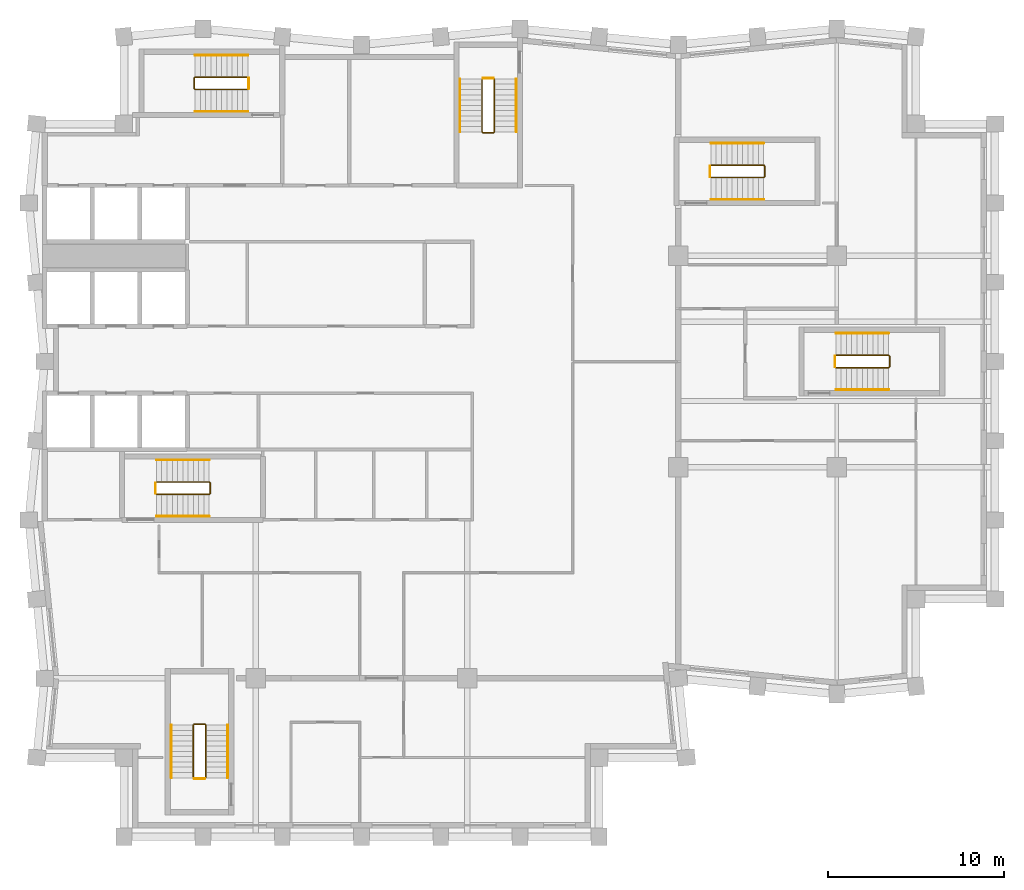
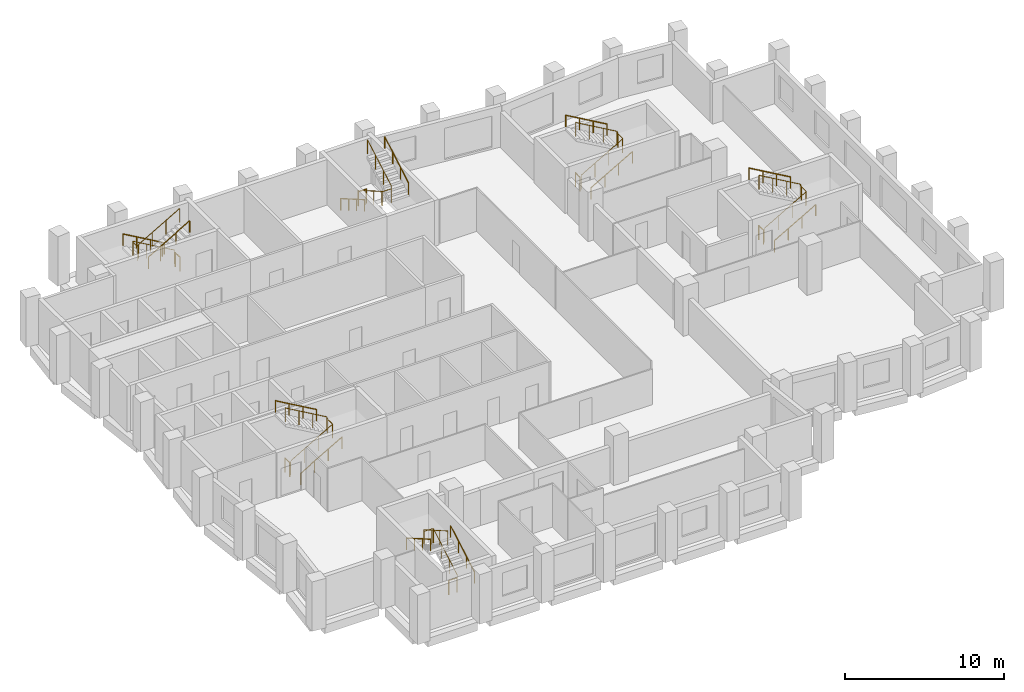
# One storey, part 8 of 8: 24 railings.
"""IFC4 building model written with IfcOpenShell, lengths in metres."""

from ifc_helpers import new_model, si_unit, direction, frame, origin, origin_2d, place, context, subcontext, project, spatial, circle, extrude, material, type_object, element, save


model = new_model("IFC4")

# Units and contexts
model_context = context("Model", 3, precision=1e-05, world=origin(), true_north=direction((0.0, 1.0)))
body_context = subcontext(model_context, "Body", "Model", "MODEL_VIEW")
ifc_project = project(units=[si_unit("LENGTHUNIT", "METRE"), si_unit("AREAUNIT", "SQUARE_METRE"), si_unit("VOLUMEUNIT", "CUBIC_METRE"), si_unit("PLANEANGLEUNIT", "RADIAN"), si_unit("MASSUNIT", "GRAM", prefix="KILO")], contexts=[model_context])

# Site, building, storey
site_placement = place(None, origin())
site = spatial("IfcSite", under=ifc_project, at=site_placement, CompositionType="ELEMENT")
building_placement = place(site_placement, origin())
building = spatial("IfcBuilding", under=site, at=building_placement, Name="Brondeck Convention Tower", CompositionType="ELEMENT")
storey_placement = place(building_placement, frame((0.0, 0.0, 240.60009765625)))
storey = spatial("IfcBuildingStorey", under=building, at=storey_placement, Name="L59", CompositionType="ELEMENT", Elevation=240.60009765625)

# Railings
ifc_material = material(Name="Steel S355", Category="steel")
railing_type_1 = type_object("IfcRailingType", Name="Stair guard 1100", PredefinedType="GUARDRAIL", material=ifc_material)
railing_1_placement = place(storey_placement, frame((6.35009765625, 37.449951171875, 0.172607421875)))
element("IfcRailing", 1, at=railing_1_placement, inside=storey, type_object=railing_type_1, Name="L59 ST-1 stair guard 1", PredefinedType="GUARDRAIL", context=body_context, shape_type="SweptSolid", body=[
    extrude(circle(Radius=0.02392578125, at=origin_2d()), frame((0.0, 0.0, 1.076171875), z_axis=(0.866619684472, 0.0, 0.498969260062), x_axis=(0.0, 1.0, 0.0)), (0.0, 0.0, 1.0), 3.461669921875),
    extrude(circle(Radius=0.02392578125, at=origin_2d()), frame((3.0, 0.0, 2.80322265625), z_axis=(0.705375805398, 0.708833529934, 0.0), x_axis=(-0.708833529934, 0.705375805398, 0.0)), (0.0, 0.0, 1.0), 0.070556640625),
    extrude(circle(Radius=0.02392578125, at=origin_2d()), frame((3.0498046875, 0.050048828125, 2.80322265625), z_axis=(0.0, 1.0, 0.0), x_axis=(-1.0, 0.0, 0.0)), (0.0, 0.0, 1.0), 0.60009765625),
    extrude(circle(Radius=0.02392578125, at=origin_2d()), frame((3.0498046875, 0.650146484375, 2.80322265625), z_axis=(-0.26715648603, 0.26715648603, 0.925880566782), x_axis=(-0.707106781187, -0.707106781187, 0.0)), (0.0, 0.0, 1.0), 0.1865234375),
    extrude(circle(Radius=0.02392578125, at=origin_2d()), frame((3.0, 0.699951171875, 2.97607421875), z_axis=(-0.866619684472, 0.0, 0.498969260062), x_axis=(0.0, -1.0, 0.0)), (0.0, 0.0, 1.0), 3.461669921875),
    extrude(circle(Radius=0.02099609375, at=origin_2d()), origin(), (0.0, 0.0, 1.0), 1.052001953125),
    extrude(circle(Radius=0.02099609375, at=origin_2d()), frame((1.0, 0.0, 0.57568359375)), (0.0, 0.0, 1.0), 1.052001953125),
    extrude(circle(Radius=0.02099609375, at=origin_2d()), frame((2.0, 0.0, 1.151611328125)), (0.0, 0.0, 1.0), 1.052001953125),
    extrude(circle(Radius=0.02099609375, at=origin_2d()), frame((3.0, 0.0, 1.727294921875)), (0.0, 0.0, 1.0), 1.052001953125),
    extrude(circle(Radius=0.02099609375, at=origin_2d()), frame((3.0498046875, 0.050048828125, 1.727294921875)), (0.0, 0.0, 1.0), 1.052001953125),
    extrude(circle(Radius=0.02099609375, at=origin_2d()), frame((3.0498046875, 0.650146484375, 1.727294921875)), (0.0, 0.0, 1.0), 1.052001953125),
    extrude(circle(Radius=0.02099609375, at=origin_2d()), frame((3.0, 0.699951171875, 1.89990234375)), (0.0, 0.0, 1.0), 1.052001953125),
    extrude(circle(Radius=0.02099609375, at=origin_2d()), frame((2.0, 0.699951171875, 2.4755859375)), (0.0, 0.0, 1.0), 1.052001953125),
    extrude(circle(Radius=0.02099609375, at=origin_2d()), frame((1.0, 0.699951171875, 3.051513671875)), (0.0, 0.0, 1.0), 1.052001953125),
    extrude(circle(Radius=0.02099609375, at=origin_2d()), frame((0.0, 0.699951171875, 3.627197265625)), (0.0, 0.0, 1.0), 1.052001953125),
])
railing_2_placement = place(storey_placement, frame((6.300048828125, 37.5, 0.0)))
element("IfcRailing", 2, at=railing_2_placement, inside=storey, type_object=railing_type_1, Name="L59 ST-1 stair guard 2", PredefinedType="GUARDRAIL", context=body_context, shape_type="SweptSolid", body=[
    extrude(circle(Radius=0.02392578125, at=origin_2d()), frame((0.0, 0.0, 1.076171875), z_axis=(0.0, 1.0, 0.0), x_axis=(-1.0, 0.0, 0.0)), (0.0, 0.0, 1.0), 0.60009765625),
    extrude(circle(Radius=0.02099609375, at=origin_2d()), origin(), (0.0, 0.0, 1.0), 1.052001953125),
    extrude(circle(Radius=0.02099609375, at=origin_2d()), frame((0.0, 0.60009765625, 0.0)), (0.0, 0.0, 1.0), 1.052001953125),
])
railing_3_placement = place(storey_placement, frame((24.85009765625, 61.050048828125, 0.172607421875)))
element("IfcRailing", 3, at=railing_3_placement, inside=storey, type_object=railing_type_1, Name="L59 ST-2 stair guard 1", PredefinedType="GUARDRAIL", context=body_context, shape_type="SweptSolid", body=[
    extrude(circle(Radius=0.02392578125, at=origin_2d()), frame((0.0, 0.0, 1.076171875), z_axis=(0.0, -0.866619684472, 0.498969260062), x_axis=(1.0, 0.0, 0.0)), (0.0, 0.0, 1.0), 3.461669921875),
    extrude(circle(Radius=0.02392578125, at=origin_2d()), frame((0.0, -3.0, 2.80322265625), z_axis=(0.705375805398, -0.708833529934, 0.0), x_axis=(0.708833529934, 0.705375805398, 0.0)), (0.0, 0.0, 1.0), 0.070556640625),
    extrude(circle(Radius=0.02392578125, at=origin_2d()), frame((0.0498046875, -3.050048828125, 2.80322265625), z_axis=(1.0, 0.0, 0.0), x_axis=(0.0, 1.0, 0.0)), (0.0, 0.0, 1.0), 0.60009765625),
    extrude(circle(Radius=0.02392578125, at=origin_2d()), frame((0.64990234375, -3.050048828125, 2.80322265625), z_axis=(0.268277960024, 0.268277960024, 0.925231793839), x_axis=(-0.707106781187, 0.707106781187, 0.0)), (0.0, 0.0, 1.0), 0.1865234375),
    extrude(circle(Radius=0.02392578125, at=origin_2d()), frame((0.699951171875, -3.0, 2.97607421875), z_axis=(0.0, 0.866619684472, 0.498969260062), x_axis=(-1.0, 0.0, 0.0)), (0.0, 0.0, 1.0), 3.461669921875),
    extrude(circle(Radius=0.02099609375, at=origin_2d()), origin(), (0.0, 0.0, 1.0), 1.052001953125),
    extrude(circle(Radius=0.02099609375, at=origin_2d()), frame((0.0, -1.0, 0.57568359375)), (0.0, 0.0, 1.0), 1.052001953125),
    extrude(circle(Radius=0.02099609375, at=origin_2d()), frame((0.0, -2.0, 1.151611328125)), (0.0, 0.0, 1.0), 1.052001953125),
    extrude(circle(Radius=0.02099609375, at=origin_2d()), frame((0.0, -3.0, 1.727294921875)), (0.0, 0.0, 1.0), 1.052001953125),
    extrude(circle(Radius=0.02099609375, at=origin_2d()), frame((0.0498046875, -3.050048828125, 1.727294921875)), (0.0, 0.0, 1.0), 1.052001953125),
    extrude(circle(Radius=0.02099609375, at=origin_2d()), frame((0.64990234375, -3.050048828125, 1.727294921875)), (0.0, 0.0, 1.0), 1.052001953125),
    extrude(circle(Radius=0.02099609375, at=origin_2d()), frame((0.699951171875, -3.0, 1.89990234375)), (0.0, 0.0, 1.0), 1.052001953125),
    extrude(circle(Radius=0.02099609375, at=origin_2d()), frame((0.699951171875, -2.0, 2.4755859375)), (0.0, 0.0, 1.0), 1.052001953125),
    extrude(circle(Radius=0.02099609375, at=origin_2d()), frame((0.699951171875, -1.0, 3.051513671875)), (0.0, 0.0, 1.0), 1.052001953125),
    extrude(circle(Radius=0.02099609375, at=origin_2d()), frame((0.699951171875, 0.0, 3.627197265625)), (0.0, 0.0, 1.0), 1.052001953125),
])
railing_4_placement = place(storey_placement, frame((24.89990234375, 61.10009765625, 0.0)))
element("IfcRailing", 4, at=railing_4_placement, inside=storey, type_object=railing_type_1, Name="L59 ST-2 stair guard 2", PredefinedType="GUARDRAIL", context=body_context, shape_type="SweptSolid", body=[
    extrude(circle(Radius=0.02392578125, at=origin_2d()), frame((0.0, 0.0, 1.076171875), z_axis=(1.0, 0.0, 0.0), x_axis=(0.0, 1.0, 0.0)), (0.0, 0.0, 1.0), 0.60009765625),
    extrude(circle(Radius=0.02099609375, at=origin_2d()), origin(), (0.0, 0.0, 1.0), 1.052001953125),
    extrude(circle(Radius=0.02099609375, at=origin_2d()), frame((0.60009765625, 0.0, 0.0)), (0.0, 0.0, 1.0), 1.052001953125),
])
railing_5_placement = place(storey_placement, frame((11.550048828125, 61.14990234375, 0.172607421875)))
element("IfcRailing", 5, at=railing_5_placement, inside=storey, type_object=railing_type_1, Name="L59 ST-3 stair guard 1", PredefinedType="GUARDRAIL", context=body_context, shape_type="SweptSolid", body=[
    extrude(circle(Radius=0.02392578125, at=origin_2d()), frame((0.0, 0.0, 1.076171875), z_axis=(-0.866619684472, 0.0, 0.498969260062), x_axis=(0.0, -1.0, 0.0)), (0.0, 0.0, 1.0), 3.461669921875),
    extrude(circle(Radius=0.02392578125, at=origin_2d()), frame((-3.0, 0.0, 2.80322265625), z_axis=(-0.708833529934, -0.705375805398, 0.0), x_axis=(0.705375805398, -0.708833529934, 0.0)), (0.0, 0.0, 1.0), 0.070556640625),
    extrude(circle(Radius=0.02392578125, at=origin_2d()), frame((-3.050048828125, -0.0498046875, 2.80322265625), z_axis=(0.0, -1.0, 0.0), x_axis=(1.0, 0.0, 0.0)), (0.0, 0.0, 1.0), 0.60009765625),
    extrude(circle(Radius=0.02392578125, at=origin_2d()), frame((-3.050048828125, -0.64990234375, 2.80322265625), z_axis=(0.268277960024, -0.268277960024, 0.925231793839), x_axis=(0.707106781187, 0.707106781187, 0.0)), (0.0, 0.0, 1.0), 0.1865234375),
    extrude(circle(Radius=0.02392578125, at=origin_2d()), frame((-3.0, -0.699951171875, 2.97607421875), z_axis=(0.866619684472, 0.0, 0.498969260062), x_axis=(0.0, 1.0, 0.0)), (0.0, 0.0, 1.0), 3.461669921875),
    extrude(circle(Radius=0.02099609375, at=origin_2d()), origin(), (0.0, 0.0, 1.0), 1.052001953125),
    extrude(circle(Radius=0.02099609375, at=origin_2d()), frame((-1.0, 0.0, 0.57568359375)), (0.0, 0.0, 1.0), 1.052001953125),
    extrude(circle(Radius=0.02099609375, at=origin_2d()), frame((-2.0, 0.0, 1.151611328125)), (0.0, 0.0, 1.0), 1.052001953125),
    extrude(circle(Radius=0.02099609375, at=origin_2d()), frame((-3.0, 0.0, 1.727294921875)), (0.0, 0.0, 1.0), 1.052001953125),
    extrude(circle(Radius=0.02099609375, at=origin_2d()), frame((-3.050048828125, -0.0498046875, 1.727294921875)), (0.0, 0.0, 1.0), 1.052001953125),
    extrude(circle(Radius=0.02099609375, at=origin_2d()), frame((-3.050048828125, -0.64990234375, 1.727294921875)), (0.0, 0.0, 1.0), 1.052001953125),
    extrude(circle(Radius=0.02099609375, at=origin_2d()), frame((-3.0, -0.699951171875, 1.89990234375)), (0.0, 0.0, 1.0), 1.052001953125),
    extrude(circle(Radius=0.02099609375, at=origin_2d()), frame((-2.0, -0.699951171875, 2.4755859375)), (0.0, 0.0, 1.0), 1.052001953125),
    extrude(circle(Radius=0.02099609375, at=origin_2d()), frame((-1.0, -0.699951171875, 3.051513671875)), (0.0, 0.0, 1.0), 1.052001953125),
    extrude(circle(Radius=0.02099609375, at=origin_2d()), frame((0.0, -0.699951171875, 3.627197265625)), (0.0, 0.0, 1.0), 1.052001953125),
])
railing_6_placement = place(storey_placement, frame((11.60009765625, 61.10009765625, 0.0)))
element("IfcRailing", 6, at=railing_6_placement, inside=storey, type_object=railing_type_1, Name="L59 ST-3 stair guard 2", PredefinedType="GUARDRAIL", context=body_context, shape_type="SweptSolid", body=[
    extrude(circle(Radius=0.02392578125, at=origin_2d()), frame((0.0, 0.0, 1.076171875), z_axis=(0.0, -1.0, 0.0), x_axis=(1.0, 0.0, 0.0)), (0.0, 0.0, 1.0), 0.60009765625),
    extrude(circle(Radius=0.02099609375, at=origin_2d()), origin(), (0.0, 0.0, 1.0), 1.052001953125),
    extrude(circle(Radius=0.02099609375, at=origin_2d()), frame((0.0, -0.60009765625, 0.0)), (0.0, 0.0, 1.0), 1.052001953125),
])
railing_7_placement = place(storey_placement, frame((37.85009765625, 55.449951171875, 0.172607421875)))
element("IfcRailing", 7, at=railing_7_placement, inside=storey, type_object=railing_type_1, Name="L59 ST-AE stair guard 1", PredefinedType="GUARDRAIL", context=body_context, shape_type="SweptSolid", body=[
    extrude(circle(Radius=0.02392578125, at=origin_2d()), frame((0.0, 0.0, 1.076171875), z_axis=(0.866619684472, 0.0, 0.498969260062), x_axis=(0.0, 1.0, 0.0)), (0.0, 0.0, 1.0), 3.461669921875),
    extrude(circle(Radius=0.02392578125, at=origin_2d()), frame((3.0, 0.0, 2.80322265625), z_axis=(0.705375805398, 0.708833529934, 0.0), x_axis=(-0.708833529934, 0.705375805398, 0.0)), (0.0, 0.0, 1.0), 0.070556640625),
    extrude(circle(Radius=0.02392578125, at=origin_2d()), frame((3.0498046875, 0.050048828125, 2.80322265625), z_axis=(0.0, 1.0, 0.0), x_axis=(-1.0, 0.0, 0.0)), (0.0, 0.0, 1.0), 0.60009765625),
    extrude(circle(Radius=0.02392578125, at=origin_2d()), frame((3.0498046875, 0.650146484375, 2.80322265625), z_axis=(-0.26715648603, 0.26715648603, 0.925880566782), x_axis=(-0.707106781187, -0.707106781187, 0.0)), (0.0, 0.0, 1.0), 0.1865234375),
    extrude(circle(Radius=0.02392578125, at=origin_2d()), frame((3.0, 0.699951171875, 2.97607421875), z_axis=(-0.866619684472, 0.0, 0.498969260062), x_axis=(0.0, -1.0, 0.0)), (0.0, 0.0, 1.0), 3.461669921875),
    extrude(circle(Radius=0.02099609375, at=origin_2d()), origin(), (0.0, 0.0, 1.0), 1.052001953125),
    extrude(circle(Radius=0.02099609375, at=origin_2d()), frame((1.0, 0.0, 0.57568359375)), (0.0, 0.0, 1.0), 1.052001953125),
    extrude(circle(Radius=0.02099609375, at=origin_2d()), frame((2.0, 0.0, 1.151611328125)), (0.0, 0.0, 1.0), 1.052001953125),
    extrude(circle(Radius=0.02099609375, at=origin_2d()), frame((3.0, 0.0, 1.727294921875)), (0.0, 0.0, 1.0), 1.052001953125),
    extrude(circle(Radius=0.02099609375, at=origin_2d()), frame((3.0498046875, 0.050048828125, 1.727294921875)), (0.0, 0.0, 1.0), 1.052001953125),
    extrude(circle(Radius=0.02099609375, at=origin_2d()), frame((3.0498046875, 0.650146484375, 1.727294921875)), (0.0, 0.0, 1.0), 1.052001953125),
    extrude(circle(Radius=0.02099609375, at=origin_2d()), frame((3.0, 0.699951171875, 1.89990234375)), (0.0, 0.0, 1.0), 1.052001953125),
    extrude(circle(Radius=0.02099609375, at=origin_2d()), frame((2.0, 0.699951171875, 2.4755859375)), (0.0, 0.0, 1.0), 1.052001953125),
    extrude(circle(Radius=0.02099609375, at=origin_2d()), frame((1.0, 0.699951171875, 3.051513671875)), (0.0, 0.0, 1.0), 1.052001953125),
    extrude(circle(Radius=0.02099609375, at=origin_2d()), frame((0.0, 0.699951171875, 3.627197265625)), (0.0, 0.0, 1.0), 1.052001953125),
])
railing_8_placement = place(storey_placement, frame((37.800048828125, 55.5, 0.0)))
element("IfcRailing", 8, at=railing_8_placement, inside=storey, type_object=railing_type_1, Name="L59 ST-AE stair guard 2", PredefinedType="GUARDRAIL", context=body_context, shape_type="SweptSolid", body=[
    extrude(circle(Radius=0.02392578125, at=origin_2d()), frame((0.0, 0.0, 1.076171875), z_axis=(0.0, 1.0, 0.0), x_axis=(-1.0, 0.0, 0.0)), (0.0, 0.0, 1.0), 0.60009765625),
    extrude(circle(Radius=0.02099609375, at=origin_2d()), origin(), (0.0, 0.0, 1.0), 1.052001953125),
    extrude(circle(Radius=0.02099609375, at=origin_2d()), frame((0.0, 0.60009765625, 0.0)), (0.0, 0.0, 1.0), 1.052001953125),
])
railing_9_placement = place(storey_placement, frame((9.14990234375, 21.35009765625, 0.172607421875)))
element("IfcRailing", 9, at=railing_9_placement, inside=storey, type_object=railing_type_1, Name="L59 ST-BE stair guard 1", PredefinedType="GUARDRAIL", context=body_context, shape_type="SweptSolid", body=[
    extrude(circle(Radius=0.02392578125, at=origin_2d()), frame((0.0, 0.0, 1.076171875), z_axis=(0.0, 0.866619684472, 0.498969260062), x_axis=(-1.0, 0.0, 0.0)), (0.0, 0.0, 1.0), 3.461669921875),
    extrude(circle(Radius=0.02392578125, at=origin_2d()), frame((0.0, 3.0, 2.80322265625), z_axis=(-0.707106781187, 0.707106781187, 0.0), x_axis=(-0.707106781187, -0.707106781187, 0.0)), (0.0, 0.0, 1.0), 0.0703125),
    extrude(circle(Radius=0.02392578125, at=origin_2d()), frame((-0.0498046875, 3.0498046875, 2.80322265625), z_axis=(-1.0, 0.0, 0.0), x_axis=(0.0, -1.0, 0.0)), (0.0, 0.0, 1.0), 0.60009765625),
    extrude(circle(Radius=0.02392578125, at=origin_2d()), frame((-0.64990234375, 3.0498046875, 2.80322265625), z_axis=(-0.268371968888, -0.267062837333, 0.925556009775), x_axis=(0.705375805398, -0.708833529934, 0.0)), (0.0, 0.0, 1.0), 0.1865234375),
    extrude(circle(Radius=0.02392578125, at=origin_2d()), frame((-0.699951171875, 3.0, 2.97607421875), z_axis=(0.0, -0.866619684472, 0.498969260062), x_axis=(1.0, 0.0, 0.0)), (0.0, 0.0, 1.0), 3.461669921875),
    extrude(circle(Radius=0.02099609375, at=origin_2d()), origin(), (0.0, 0.0, 1.0), 1.052001953125),
    extrude(circle(Radius=0.02099609375, at=origin_2d()), frame((0.0, 1.0, 0.57568359375)), (0.0, 0.0, 1.0), 1.052001953125),
    extrude(circle(Radius=0.02099609375, at=origin_2d()), frame((0.0, 2.0, 1.151611328125)), (0.0, 0.0, 1.0), 1.052001953125),
    extrude(circle(Radius=0.02099609375, at=origin_2d()), frame((0.0, 3.0, 1.727294921875)), (0.0, 0.0, 1.0), 1.052001953125),
    extrude(circle(Radius=0.02099609375, at=origin_2d()), frame((-0.0498046875, 3.0498046875, 1.727294921875)), (0.0, 0.0, 1.0), 1.052001953125),
    extrude(circle(Radius=0.02099609375, at=origin_2d()), frame((-0.64990234375, 3.0498046875, 1.727294921875)), (0.0, 0.0, 1.0), 1.052001953125),
    extrude(circle(Radius=0.02099609375, at=origin_2d()), frame((-0.699951171875, 3.0, 1.89990234375)), (0.0, 0.0, 1.0), 1.052001953125),
    extrude(circle(Radius=0.02099609375, at=origin_2d()), frame((-0.699951171875, 2.0, 2.4755859375)), (0.0, 0.0, 1.0), 1.052001953125),
    extrude(circle(Radius=0.02099609375, at=origin_2d()), frame((-0.699951171875, 1.0, 3.051513671875)), (0.0, 0.0, 1.0), 1.052001953125),
    extrude(circle(Radius=0.02099609375, at=origin_2d()), frame((-0.699951171875, 0.0, 3.627197265625)), (0.0, 0.0, 1.0), 1.052001953125),
])
railing_10_placement = place(storey_placement, frame((9.10009765625, 21.300048828125, 0.0)))
element("IfcRailing", 10, at=railing_10_placement, inside=storey, type_object=railing_type_1, Name="L59 ST-BE stair guard 2", PredefinedType="GUARDRAIL", context=body_context, shape_type="SweptSolid", body=[
    extrude(circle(Radius=0.02392578125, at=origin_2d()), frame((0.0, 0.0, 1.076171875), z_axis=(-1.0, 0.0, 0.0), x_axis=(0.0, -1.0, 0.0)), (0.0, 0.0, 1.0), 0.60009765625),
    extrude(circle(Radius=0.02099609375, at=origin_2d()), origin(), (0.0, 0.0, 1.0), 1.052001953125),
    extrude(circle(Radius=0.02099609375, at=origin_2d()), frame((-0.60009765625, 0.0, 0.0)), (0.0, 0.0, 1.0), 1.052001953125),
])
railing_11_placement = place(storey_placement, frame((44.949951171875, 44.64990234375, 0.172607421875)))
element("IfcRailing", 11, at=railing_11_placement, inside=storey, type_object=railing_type_1, Name="L59 ST-AF stair guard 1", PredefinedType="GUARDRAIL", context=body_context, shape_type="SweptSolid", body=[
    extrude(circle(Radius=0.02392578125, at=origin_2d()), frame((0.0, 0.0, 1.076171875), z_axis=(0.866619684472, 0.0, 0.498969260062), x_axis=(0.0, 1.0, 0.0)), (0.0, 0.0, 1.0), 3.461669921875),
    extrude(circle(Radius=0.02392578125, at=origin_2d()), frame((3.0, 0.0, 2.80322265625), z_axis=(0.707106781187, 0.707106781187, 0.0), x_axis=(-0.707106781187, 0.707106781187, 0.0)), (0.0, 0.0, 1.0), 0.07080078125),
    extrude(circle(Radius=0.02392578125, at=origin_2d()), frame((3.050048828125, 0.050048828125, 2.80322265625), z_axis=(0.0, 1.0, 0.0), x_axis=(-1.0, 0.0, 0.0)), (0.0, 0.0, 1.0), 0.60009765625),
    extrude(circle(Radius=0.02392578125, at=origin_2d()), frame((3.050048828125, 0.650146484375, 2.80322265625), z_axis=(-0.268277960024, 0.268277960024, 0.925231793839), x_axis=(-0.707106781187, -0.707106781187, 0.0)), (0.0, 0.0, 1.0), 0.1865234375),
    extrude(circle(Radius=0.02392578125, at=origin_2d()), frame((3.0, 0.7001953125, 2.97607421875), z_axis=(-0.866619684472, 0.0, 0.498969260062), x_axis=(0.0, -1.0, 0.0)), (0.0, 0.0, 1.0), 3.461669921875),
    extrude(circle(Radius=0.02099609375, at=origin_2d()), origin(), (0.0, 0.0, 1.0), 1.052001953125),
    extrude(circle(Radius=0.02099609375, at=origin_2d()), frame((1.0, 0.0, 0.57568359375)), (0.0, 0.0, 1.0), 1.052001953125),
    extrude(circle(Radius=0.02099609375, at=origin_2d()), frame((2.0, 0.0, 1.151611328125)), (0.0, 0.0, 1.0), 1.052001953125),
    extrude(circle(Radius=0.02099609375, at=origin_2d()), frame((3.0, 0.0, 1.727294921875)), (0.0, 0.0, 1.0), 1.052001953125),
    extrude(circle(Radius=0.02099609375, at=origin_2d()), frame((3.050048828125, 0.050048828125, 1.727294921875)), (0.0, 0.0, 1.0), 1.052001953125),
    extrude(circle(Radius=0.02099609375, at=origin_2d()), frame((3.050048828125, 0.650146484375, 1.727294921875)), (0.0, 0.0, 1.0), 1.052001953125),
    extrude(circle(Radius=0.02099609375, at=origin_2d()), frame((3.0, 0.7001953125, 1.89990234375)), (0.0, 0.0, 1.0), 1.052001953125),
    extrude(circle(Radius=0.02099609375, at=origin_2d()), frame((2.0, 0.7001953125, 2.4755859375)), (0.0, 0.0, 1.0), 1.052001953125),
    extrude(circle(Radius=0.02099609375, at=origin_2d()), frame((1.0, 0.7001953125, 3.051513671875)), (0.0, 0.0, 1.0), 1.052001953125),
    extrude(circle(Radius=0.02099609375, at=origin_2d()), frame((0.0, 0.7001953125, 3.627197265625)), (0.0, 0.0, 1.0), 1.052001953125),
])
railing_12_placement = place(storey_placement, frame((44.89990234375, 44.699951171875, 0.0)))
element("IfcRailing", 12, at=railing_12_placement, inside=storey, type_object=railing_type_1, Name="L59 ST-AF stair guard 2", PredefinedType="GUARDRAIL", context=body_context, shape_type="SweptSolid", body=[
    extrude(circle(Radius=0.02392578125, at=origin_2d()), frame((0.0, 0.0, 1.076171875), z_axis=(0.0, 1.0, 0.0), x_axis=(-1.0, 0.0, 0.0)), (0.0, 0.0, 1.0), 0.60009765625),
    extrude(circle(Radius=0.02099609375, at=origin_2d()), origin(), (0.0, 0.0, 1.0), 1.052001953125),
    extrude(circle(Radius=0.02099609375, at=origin_2d()), frame((0.0, 0.60009765625, 0.0)), (0.0, 0.0, 1.0), 1.052001953125),
])
railing_type_2 = type_object("IfcRailingType", Name="Stair handrail", PredefinedType="HANDRAIL", material=ifc_material)
railing_13_placement = place(storey_placement, frame((6.35009765625, 36.199951171875, 0.172607421875)))
element("IfcRailing", 13, at=railing_13_placement, inside=storey, type_object=railing_type_2, Name="L59 ST-1 stair handrail 1", PredefinedType="HANDRAIL", context=body_context, shape_type="SweptSolid", body=[
    extrude(circle(Radius=0.02392578125, at=origin_2d()), frame((0.0, 0.0, 0.8759765625), z_axis=(0.866619684472, 0.0, 0.498969260062), x_axis=(0.0, 1.0, 0.0)), (0.0, 0.0, 1.0), 3.461669921875),
    extrude(circle(Radius=0.02099609375, at=origin_2d()), origin(), (0.0, 0.0, 1.0), 0.851806640625),
    extrude(circle(Radius=0.02099609375, at=origin_2d()), frame((1.0, 0.0, 0.57568359375)), (0.0, 0.0, 1.0), 0.851806640625),
    extrude(circle(Radius=0.02099609375, at=origin_2d()), frame((2.0, 0.0, 1.151611328125)), (0.0, 0.0, 1.0), 0.851806640625),
    extrude(circle(Radius=0.02099609375, at=origin_2d()), frame((3.0, 0.0, 1.727294921875)), (0.0, 0.0, 1.0), 0.851806640625),
])
railing_14_placement = place(storey_placement, frame((9.35009765625, 39.39990234375, 2.072509765625)))
element("IfcRailing", 14, at=railing_14_placement, inside=storey, type_object=railing_type_2, Name="L59 ST-1 stair handrail 2", PredefinedType="HANDRAIL", context=body_context, shape_type="SweptSolid", body=[
    extrude(circle(Radius=0.02392578125, at=origin_2d()), frame((0.0, 0.0, 0.8759765625), z_axis=(-0.866619684472, 0.0, 0.498969260062), x_axis=(0.0, -1.0, 0.0)), (0.0, 0.0, 1.0), 3.461669921875),
    extrude(circle(Radius=0.02099609375, at=origin_2d()), origin(), (0.0, 0.0, 1.0), 0.851806640625),
    extrude(circle(Radius=0.02099609375, at=origin_2d()), frame((-1.0, 0.0, 0.57568359375)), (0.0, 0.0, 1.0), 0.851806640625),
    extrude(circle(Radius=0.02099609375, at=origin_2d()), frame((-2.0, 0.0, 1.151611328125)), (0.0, 0.0, 1.0), 0.851806640625),
    extrude(circle(Radius=0.02099609375, at=origin_2d()), frame((-3.0, 0.0, 1.727294921875)), (0.0, 0.0, 1.0), 0.851806640625),
])
railing_15_placement = place(storey_placement, frame((23.60009765625, 61.050048828125, 0.172607421875)))
element("IfcRailing", 15, at=railing_15_placement, inside=storey, type_object=railing_type_2, Name="L59 ST-2 stair handrail 1", PredefinedType="HANDRAIL", context=body_context, shape_type="SweptSolid", body=[
    extrude(circle(Radius=0.02392578125, at=origin_2d()), frame((0.0, 0.0, 0.8759765625), z_axis=(0.0, -0.866619684472, 0.498969260062), x_axis=(1.0, 0.0, 0.0)), (0.0, 0.0, 1.0), 3.461669921875),
    extrude(circle(Radius=0.02099609375, at=origin_2d()), origin(), (0.0, 0.0, 1.0), 0.851806640625),
    extrude(circle(Radius=0.02099609375, at=origin_2d()), frame((0.0, -1.0, 0.57568359375)), (0.0, 0.0, 1.0), 0.851806640625),
    extrude(circle(Radius=0.02099609375, at=origin_2d()), frame((0.0, -2.0, 1.151611328125)), (0.0, 0.0, 1.0), 0.851806640625),
    extrude(circle(Radius=0.02099609375, at=origin_2d()), frame((0.0, -3.0, 1.727294921875)), (0.0, 0.0, 1.0), 0.851806640625),
])
railing_16_placement = place(storey_placement, frame((26.800048828125, 58.050048828125, 2.072509765625)))
element("IfcRailing", 16, at=railing_16_placement, inside=storey, type_object=railing_type_2, Name="L59 ST-2 stair handrail 2", PredefinedType="HANDRAIL", context=body_context, shape_type="SweptSolid", body=[
    extrude(circle(Radius=0.02392578125, at=origin_2d()), frame((0.0, 0.0, 0.8759765625), z_axis=(0.0, 0.866619684472, 0.498969260062), x_axis=(-1.0, 0.0, 0.0)), (0.0, 0.0, 1.0), 3.461669921875),
    extrude(circle(Radius=0.02099609375, at=origin_2d()), origin(), (0.0, 0.0, 1.0), 0.851806640625),
    extrude(circle(Radius=0.02099609375, at=origin_2d()), frame((0.0, 1.0, 0.57568359375)), (0.0, 0.0, 1.0), 0.851806640625),
    extrude(circle(Radius=0.02099609375, at=origin_2d()), frame((0.0, 2.0, 1.151611328125)), (0.0, 0.0, 1.0), 0.851806640625),
    extrude(circle(Radius=0.02099609375, at=origin_2d()), frame((0.0, 3.0, 1.727294921875)), (0.0, 0.0, 1.0), 0.851806640625),
])
railing_17_placement = place(storey_placement, frame((11.550048828125, 62.39990234375, 0.172607421875)))
element("IfcRailing", 17, at=railing_17_placement, inside=storey, type_object=railing_type_2, Name="L59 ST-3 stair handrail 1", PredefinedType="HANDRAIL", context=body_context, shape_type="SweptSolid", body=[
    extrude(circle(Radius=0.02392578125, at=origin_2d()), frame((0.0, 0.0, 0.8759765625), z_axis=(-0.866619684472, 0.0, 0.498969260062), x_axis=(0.0, -1.0, 0.0)), (0.0, 0.0, 1.0), 3.461669921875),
    extrude(circle(Radius=0.02099609375, at=origin_2d()), origin(), (0.0, 0.0, 1.0), 0.851806640625),
    extrude(circle(Radius=0.02099609375, at=origin_2d()), frame((-1.0, 0.0, 0.57568359375)), (0.0, 0.0, 1.0), 0.851806640625),
    extrude(circle(Radius=0.02099609375, at=origin_2d()), frame((-2.0, 0.0, 1.151611328125)), (0.0, 0.0, 1.0), 0.851806640625),
    extrude(circle(Radius=0.02099609375, at=origin_2d()), frame((-3.0, 0.0, 1.727294921875)), (0.0, 0.0, 1.0), 0.851806640625),
])
for number, where, name in (
    (18, (8.550048828125, 59.199951171875, 2.072509765625), "L59 ST-3 stair handrail 2"),
    (19, (37.85009765625, 54.199951171875, 0.172607421875), "L59 ST-AE stair handrail 1"),
):
    element("IfcRailing", number, at=place(storey_placement, frame(where)), inside=storey, type_object=railing_type_2, Name=name, PredefinedType="HANDRAIL", context=body_context, shape_type="SweptSolid", body=[
        extrude(circle(Radius=0.02392578125, at=origin_2d()), frame((0.0, 0.0, 0.8759765625), z_axis=(0.866619684472, 0.0, 0.498969260062), x_axis=(0.0, 1.0, 0.0)), (0.0, 0.0, 1.0), 3.461669921875),
        extrude(circle(Radius=0.02099609375, at=origin_2d()), origin(), (0.0, 0.0, 1.0), 0.851806640625),
        extrude(circle(Radius=0.02099609375, at=origin_2d()), frame((1.0, 0.0, 0.57568359375)), (0.0, 0.0, 1.0), 0.851806640625),
        extrude(circle(Radius=0.02099609375, at=origin_2d()), frame((2.0, 0.0, 1.151611328125)), (0.0, 0.0, 1.0), 0.851806640625),
        extrude(circle(Radius=0.02099609375, at=origin_2d()), frame((3.0, 0.0, 1.727294921875)), (0.0, 0.0, 1.0), 0.851806640625),
    ])
railing_18_placement = place(storey_placement, frame((40.85009765625, 57.39990234375, 2.072509765625)))
element("IfcRailing", 20, at=railing_18_placement, inside=storey, type_object=railing_type_2, Name="L59 ST-AE stair handrail 2", PredefinedType="HANDRAIL", context=body_context, shape_type="SweptSolid", body=[
    extrude(circle(Radius=0.02392578125, at=origin_2d()), frame((0.0, 0.0, 0.8759765625), z_axis=(-0.866619684472, 0.0, 0.498969260062), x_axis=(0.0, -1.0, 0.0)), (0.0, 0.0, 1.0), 3.461669921875),
    extrude(circle(Radius=0.02099609375, at=origin_2d()), origin(), (0.0, 0.0, 1.0), 0.851806640625),
    extrude(circle(Radius=0.02099609375, at=origin_2d()), frame((-1.0, 0.0, 0.57568359375)), (0.0, 0.0, 1.0), 0.851806640625),
    extrude(circle(Radius=0.02099609375, at=origin_2d()), frame((-2.0, 0.0, 1.151611328125)), (0.0, 0.0, 1.0), 0.851806640625),
    extrude(circle(Radius=0.02099609375, at=origin_2d()), frame((-3.0, 0.0, 1.727294921875)), (0.0, 0.0, 1.0), 0.851806640625),
])
railing_19_placement = place(storey_placement, frame((10.39990234375, 21.35009765625, 0.172607421875)))
element("IfcRailing", 21, at=railing_19_placement, inside=storey, type_object=railing_type_2, Name="L59 ST-BE stair handrail 1", PredefinedType="HANDRAIL", context=body_context, shape_type="SweptSolid", body=[
    extrude(circle(Radius=0.02392578125, at=origin_2d()), frame((0.0, 0.0, 0.8759765625), z_axis=(0.0, 0.866619684472, 0.498969260062), x_axis=(-1.0, 0.0, 0.0)), (0.0, 0.0, 1.0), 3.461669921875),
    extrude(circle(Radius=0.02099609375, at=origin_2d()), origin(), (0.0, 0.0, 1.0), 0.851806640625),
    extrude(circle(Radius=0.02099609375, at=origin_2d()), frame((0.0, 1.0, 0.57568359375)), (0.0, 0.0, 1.0), 0.851806640625),
    extrude(circle(Radius=0.02099609375, at=origin_2d()), frame((0.0, 2.0, 1.151611328125)), (0.0, 0.0, 1.0), 0.851806640625),
    extrude(circle(Radius=0.02099609375, at=origin_2d()), frame((0.0, 3.0, 1.727294921875)), (0.0, 0.0, 1.0), 0.851806640625),
])
railing_20_placement = place(storey_placement, frame((7.199951171875, 24.35009765625, 2.072509765625)))
element("IfcRailing", 22, at=railing_20_placement, inside=storey, type_object=railing_type_2, Name="L59 ST-BE stair handrail 2", PredefinedType="HANDRAIL", context=body_context, shape_type="SweptSolid", body=[
    extrude(circle(Radius=0.02392578125, at=origin_2d()), frame((0.0, 0.0, 0.8759765625), z_axis=(0.0, -0.866619684472, 0.498969260062), x_axis=(1.0, 0.0, 0.0)), (0.0, 0.0, 1.0), 3.461669921875),
    extrude(circle(Radius=0.02099609375, at=origin_2d()), origin(), (0.0, 0.0, 1.0), 0.851806640625),
    extrude(circle(Radius=0.02099609375, at=origin_2d()), frame((0.0, -1.0, 0.57568359375)), (0.0, 0.0, 1.0), 0.851806640625),
    extrude(circle(Radius=0.02099609375, at=origin_2d()), frame((0.0, -2.0, 1.151611328125)), (0.0, 0.0, 1.0), 0.851806640625),
    extrude(circle(Radius=0.02099609375, at=origin_2d()), frame((0.0, -3.0, 1.727294921875)), (0.0, 0.0, 1.0), 0.851806640625),
])
railing_21_placement = place(storey_placement, frame((44.949951171875, 43.39990234375, 0.172607421875)))
element("IfcRailing", 23, at=railing_21_placement, inside=storey, type_object=railing_type_2, Name="L59 ST-AF stair handrail 1", PredefinedType="HANDRAIL", context=body_context, shape_type="SweptSolid", body=[
    extrude(circle(Radius=0.02392578125, at=origin_2d()), frame((0.0, 0.0, 0.8759765625), z_axis=(0.866619684472, 0.0, 0.498969260062), x_axis=(0.0, 1.0, 0.0)), (0.0, 0.0, 1.0), 3.461669921875),
    extrude(circle(Radius=0.02099609375, at=origin_2d()), origin(), (0.0, 0.0, 1.0), 0.851806640625),
    extrude(circle(Radius=0.02099609375, at=origin_2d()), frame((1.0, 0.0, 0.57568359375)), (0.0, 0.0, 1.0), 0.851806640625),
    extrude(circle(Radius=0.02099609375, at=origin_2d()), frame((2.0, 0.0, 1.151611328125)), (0.0, 0.0, 1.0), 0.851806640625),
    extrude(circle(Radius=0.02099609375, at=origin_2d()), frame((3.0, 0.0, 1.727294921875)), (0.0, 0.0, 1.0), 0.851806640625),
])
railing_22_placement = place(storey_placement, frame((47.949951171875, 46.60009765625, 2.072509765625)))
element("IfcRailing", 24, at=railing_22_placement, inside=storey, type_object=railing_type_2, Name="L59 ST-AF stair handrail 2", PredefinedType="HANDRAIL", context=body_context, shape_type="SweptSolid", body=[
    extrude(circle(Radius=0.02392578125, at=origin_2d()), frame((0.0, 0.0, 0.8759765625), z_axis=(-0.866619684472, 0.0, 0.498969260062), x_axis=(0.0, -1.0, 0.0)), (0.0, 0.0, 1.0), 3.461669921875),
    extrude(circle(Radius=0.02099609375, at=origin_2d()), origin(), (0.0, 0.0, 1.0), 0.851806640625),
    extrude(circle(Radius=0.02099609375, at=origin_2d()), frame((-1.0, 0.0, 0.57568359375)), (0.0, 0.0, 1.0), 0.851806640625),
    extrude(circle(Radius=0.02099609375, at=origin_2d()), frame((-2.0, 0.0, 1.151611328125)), (0.0, 0.0, 1.0), 0.851806640625),
    extrude(circle(Radius=0.02099609375, at=origin_2d()), frame((-3.0, 0.0, 1.727294921875)), (0.0, 0.0, 1.0), 0.851806640625),
])

save(model, "model.ifc")
